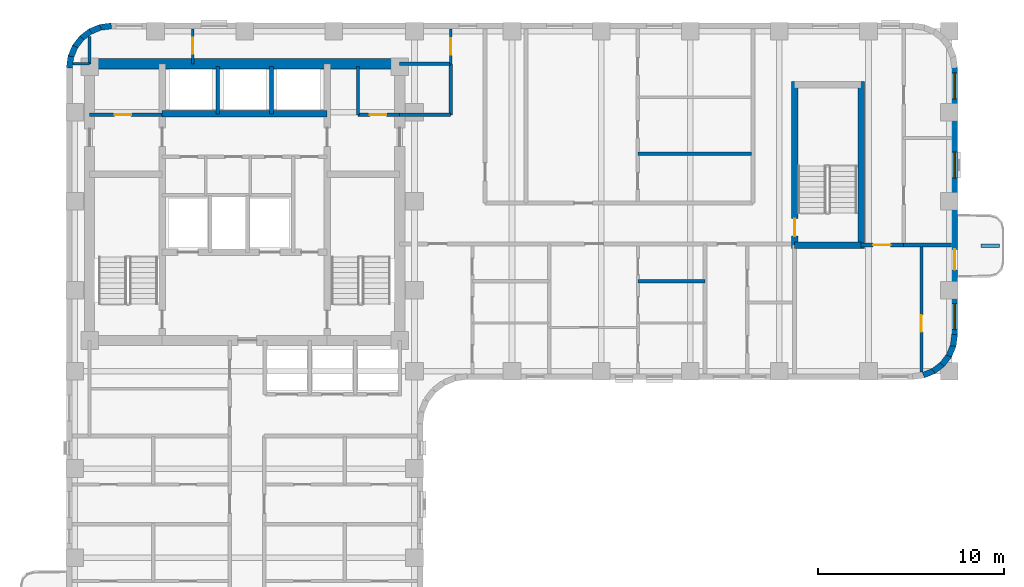
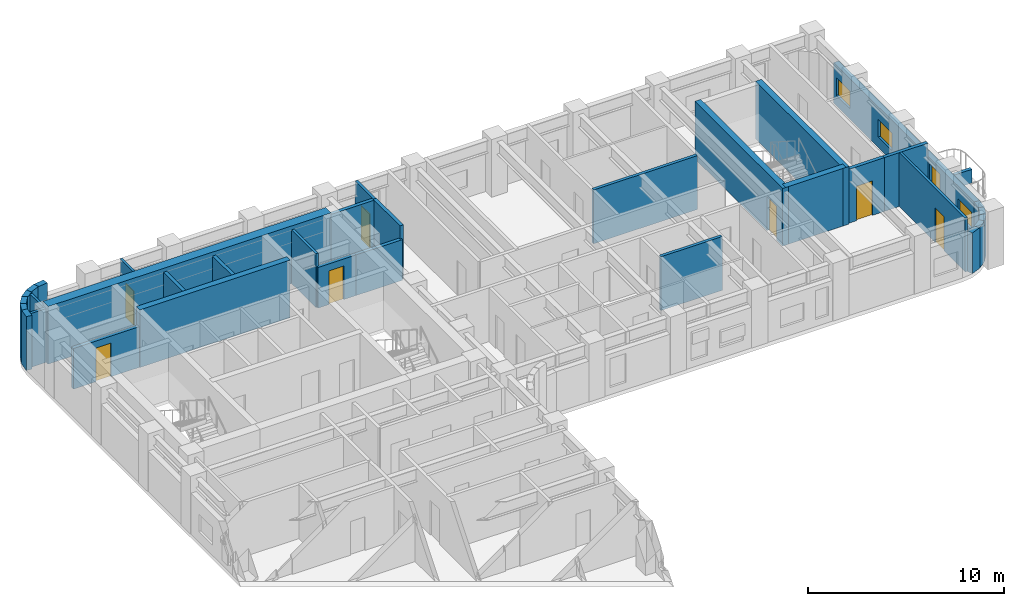
# One storey, part 6 of 10: 35 walls, 8 doors, 3 windows, 11 openings.
"""IFC4 building model written with IfcOpenShell, lengths in metres."""

from ifc_helpers import new_model, si_unit, direction, frame, frame_2d, origin, place, context, subcontext, project, spatial, rectangle, extrude, material, layer, layer_set, type_object, element, fill, save


model = new_model("IFC4")

# Units and contexts
model_context = context("Model", 3, precision=1e-05, world=origin(), true_north=direction((0.0, 1.0)))
body_context = subcontext(model_context, "Body", "Model", "MODEL_VIEW")
ifc_project = project(units=[si_unit("LENGTHUNIT", "METRE"), si_unit("AREAUNIT", "SQUARE_METRE"), si_unit("VOLUMEUNIT", "CUBIC_METRE"), si_unit("PLANEANGLEUNIT", "RADIAN"), si_unit("MASSUNIT", "GRAM", prefix="KILO")], contexts=[model_context])

# Site, building, storey
site_placement = place(None, origin())
site = spatial("IfcSite", under=ifc_project, at=site_placement, CompositionType="ELEMENT")
building_placement = place(site_placement, origin())
building = spatial("IfcBuilding", under=site, at=building_placement, Name="Orvandelia Arch Residences", CompositionType="ELEMENT")
storey_placement = place(building_placement, frame((0.0, 0.0, 118.0)))
storey = spatial("IfcBuildingStorey", under=building, at=storey_placement, Name="L30", CompositionType="ELEMENT", Elevation=118.0)

# Wall
ifc_material_1 = material(Name="Concrete C50/60", Category="concrete")
ifc_layer_1 = layer(ifc_material_1, 0.35009765625, Name="Concrete C50/60", Category="concrete")
ifc_layer_set_1 = layer_set([ifc_layer_1], Name="Concrete C50/60")
wall_type_1 = type_object("IfcWallType", Name="WL-CORE-350", PredefinedType="SHEAR", material=ifc_layer_set_1)
wall_1_placement = place(storey_placement, frame((9.9599609375, 43.10009765625, 0.0), z_axis=(0.0, 0.0, 1.0), x_axis=(1.0, 0.0, 0.0)))
element("IfcWall", 1, at=wall_1_placement, inside=storey, type_object=wall_type_1, Name="Core Shear Wall L30-HZ4", PredefinedType="SHEAR", context=body_context, shape_type="SweptSolid", body=[
    extrude(rectangle(XDim=8.880126953125, YDim=0.35009765625, at=frame_2d((4.43994140625, 0.0))), origin(), (0.0, 0.0, 1.0), 3.60009765625),
])

# Wall, opening, door
wall_2_placement = place(storey_placement, frame((44.02001953125, 35.864990234375, 0.0), z_axis=(0.0, 0.0, 1.0), x_axis=(0.0, 1.0, 0.0)))
wall_2 = element("IfcWall", 2, at=wall_2_placement, inside=storey, type_object=wall_type_1, Name="East Stair Core Shear Wall L30-W", PredefinedType="SHEAR", context=body_context, shape_type="SweptSolid", body=[
    extrude(rectangle(XDim=8.969970703125, YDim=0.35009765625, at=frame_2d((4.48486328125, 0.0))), origin(), (0.0, 0.0, 1.0), 3.60009765625),
])
opening_1_placement = place(wall_2_placement, frame((0.64990234375, 0.0, 0.0)))
opening_1 = element("IfcOpeningElement", 3, at=opening_1_placement, cuts=wall_2, Name="Opening D7", PredefinedType="OPENING", context=body_context, shape_type="SweptSolid", body=[
    extrude(rectangle(XDim=0.949951171875, YDim=2.10009765625, at=frame_2d((0.47509765625, 1.050048828125))), frame((0.0, 0.18505859375, 0.0), z_axis=(0.0, -1.0, 0.0), x_axis=(1.0, 0.0, 0.0)), (0.0, 0.0, 1.0), 0.3701171875),
])
ifc_material_2 = material(Name="Pressurised Stairwell Fire Door")
door_type_1 = type_object("IfcDoorType", Name="DR-STAIR-950", OperationType="NOTDEFINED", PredefinedType="DOOR", material=ifc_material_2)
door_1_placement = place(opening_1_placement, origin())
door_1 = element("IfcDoor", 4, at=door_1_placement, inside=storey, type_object=door_type_1, Name="East Stairwell ST-3 Fire Door L30", OperationType="SINGLE_SWING_LEFT", OverallHeight=2.10009765625, OverallWidth=0.949951171875, PredefinedType="DOOR", context=body_context, shape_type="SweptSolid", body=[
    extrude(rectangle(XDim=0.949951171875, YDim=2.10009765625, at=frame_2d((0.47509765625, 1.050048828125))), frame((0.0, 0.02490234375, 0.0), z_axis=(0.0, -1.0, 0.0), x_axis=(1.0, 0.0, 0.0)), (0.0, 0.0, 1.0), 0.050048828125),
])
fill(opening_1, door_1)

# Walls
wall_3_placement = place(storey_placement, frame((47.60009765625, 35.864990234375, 0.0), z_axis=(0.0, 0.0, 1.0), x_axis=(0.0, 1.0, 0.0)))
element("IfcWall", 5, at=wall_3_placement, inside=storey, type_object=wall_type_1, Name="East Stair Core Shear Wall L30-E", PredefinedType="SHEAR", context=body_context, shape_type="SweptSolid", body=[
    extrude(rectangle(XDim=8.969970703125, YDim=0.35009765625, at=frame_2d((4.48486328125, 0.0))), origin(), (0.0, 0.0, 1.0), 3.60009765625),
])
wall_4_placement = place(storey_placement, frame((44.02001953125, 36.0400390625, 0.0), z_axis=(0.0, 0.0, 1.0), x_axis=(1.0, 0.0, 0.0)))
element("IfcWall", 6, at=wall_4_placement, inside=storey, type_object=wall_type_1, Name="East Stair Core Shear Wall L30-S", PredefinedType="SHEAR", context=body_context, shape_type="SweptSolid", body=[
    extrude(rectangle(XDim=3.580078125, YDim=0.35009765625, at=frame_2d((1.7900390625, 0.0))), origin(), (0.0, 0.0, 1.0), 3.60009765625),
])
ifc_material_3 = material(Name="Concrete C60/75", Category="concrete")
ifc_layer_2 = layer(ifc_material_3, 0.550048828125, Name="Concrete C60/75", Category="concrete")
ifc_layer_set_2 = layer_set([ifc_layer_2], Name="Concrete C60/75")
wall_type_2 = type_object("IfcWallType", Name="WL-CORE-550", PredefinedType="SHEAR", material=ifc_layer_set_2)
wall_5_placement = place(storey_placement, frame((6.050048828125, 45.800048828125, 0.0), z_axis=(0.0, 0.0, 1.0), x_axis=(1.0, 0.0, 0.0)))
element("IfcWall", 7, at=wall_5_placement, inside=storey, type_object=wall_type_2, Name="Core Shear Wall L30-N", PredefinedType="SHEAR", context=body_context, shape_type="SweptSolid", body=[
    extrude(rectangle(XDim=16.699951171875, YDim=0.550048828125, at=frame_2d((8.35009765625, 0.0))), origin(), (0.0, 0.0, 1.0), 3.60009765625),
])
ifc_material_4 = material(Name="Fire-Rated Corridor Partition")
ifc_layer_3 = layer(ifc_material_4, 0.199951171875, Name="Fire-Rated Corridor Partition")
ifc_layer_set_3 = layer_set([ifc_layer_3], Name="Fire-Rated Corridor Partition")
wall_type_3 = type_object("IfcWallType", Name="WL-CORR-200", PredefinedType="PARTITIONING", material=ifc_layer_set_3)
wall_6_placement = place(storey_placement, frame((22.75, 45.800048828125, 0.0), z_axis=(0.0, 0.0, 1.0), x_axis=(1.0, 0.0, 0.0)))
element("IfcWall", 8, at=wall_6_placement, inside=storey, type_object=wall_type_3, Name="Interior Partition Wall WL-L30-NCE-S", PredefinedType="PARTITIONING", context=body_context, shape_type="SweptSolid", body=[
    extrude(rectangle(XDim=2.75, YDim=0.199951171875, at=frame_2d((1.375, 0.0))), origin(), (0.0, 0.0, 1.0), 3.360107421875),
])
wall_7_placement = place(storey_placement, frame((22.75, 43.050048828125, 0.0), z_axis=(0.0, 0.0, 1.0), x_axis=(1.0, 0.0, 0.0)))
element("IfcWall", 9, at=wall_7_placement, inside=storey, type_object=wall_type_3, Name="Interior Partition Wall WL-L30-EM-LS", PredefinedType="PARTITIONING", context=body_context, shape_type="SweptSolid", body=[
    extrude(rectangle(XDim=2.75, YDim=0.199951171875, at=frame_2d((1.375, 0.0))), origin(), (0.0, 0.0, 1.0), 2.5400390625),
])
wall_8_placement = place(storey_placement, frame((25.5, 43.050048828125, 0.0), z_axis=(0.0, 0.0, 1.0), x_axis=(0.0, 1.0, 0.0)))
element("IfcWall", 10, at=wall_8_placement, inside=storey, type_object=wall_type_3, Name="Interior Partition Wall WL-L30-EM-LW2", PredefinedType="PARTITIONING", context=body_context, shape_type="SweptSolid", body=[
    extrude(rectangle(XDim=2.75, YDim=0.199951171875, at=frame_2d((1.375, 0.0))), origin(), (0.0, 0.0, 1.0), 3.360107421875),
])

# Wall, opening, door
wall_9_placement = place(storey_placement, frame((47.60009765625, 36.0400390625, 0.0), z_axis=(0.0, 0.0, 1.0), x_axis=(1.0, 0.0, 0.0)))
wall_9 = element("IfcWall", 11, at=wall_9_placement, inside=storey, type_object=wall_type_3, Name="Interior Partition Wall WL-L30-ETE-S", PredefinedType="PARTITIONING", context=body_context, shape_type="SweptSolid", body=[
    extrude(rectangle(XDim=2.2998046875, YDim=0.199951171875, at=frame_2d((1.14990234375, 0.0))), origin(), (0.0, 0.0, 1.0), 3.360107421875),
])
opening_2_placement = place(wall_9_placement, frame((0.64990234375, 0.0, 0.0)))
opening_2 = element("IfcOpeningElement", 12, at=opening_2_placement, cuts=wall_9, Name="Opening D2", PredefinedType="OPENING", context=body_context, shape_type="SweptSolid", body=[
    extrude(rectangle(XDim=0.949951171875, YDim=2.14990234375, at=frame_2d((0.47509765625, 1.074951171875))), frame((0.0, 0.10986328125, 0.0), z_axis=(0.0, -1.0, 0.0), x_axis=(1.0, 0.0, 0.0)), (0.0, 0.0, 1.0), 0.219970703125),
])
ifc_material_5 = material(Name="Solid-Core Timber Interior Fire Door", Category="wood")
door_type_2 = type_object("IfcDoorType", Name="DR-APT-950", OperationType="NOTDEFINED", PredefinedType="DOOR", material=ifc_material_5)
door_2_placement = place(opening_2_placement, origin())
door_2 = element("IfcDoor", 13, at=door_2_placement, inside=storey, type_object=door_type_2, Name="DR-L30-EMS3", OperationType="SINGLE_SWING_LEFT", OverallHeight=2.14990234375, OverallWidth=0.949951171875, PredefinedType="DOOR", context=body_context, shape_type="SweptSolid", body=[
    extrude(rectangle(XDim=0.949951171875, YDim=2.14990234375, at=frame_2d((0.47509765625, 1.074951171875))), frame((0.0, 0.02490234375, 0.0), z_axis=(0.0, -1.0, 0.0), x_axis=(1.0, 0.0, 0.0)), (0.0, 0.0, 1.0), 0.050048828125),
])
fill(opening_2, door_2)

# Walls
ifc_material_6 = material(Name="Concrete C40/50", Category="concrete")
ifc_layer_4 = layer(ifc_material_6, 0.199951171875, Name="Concrete C40/50", Category="concrete")
ifc_layer_set_4 = layer_set([ifc_layer_4], Name="Concrete C40/50")
wall_type_4 = type_object("IfcWallType", Name="WL-DEM-200", PredefinedType="SOLIDWALL", material=ifc_layer_set_4)
wall_10_placement = place(storey_placement, frame((49.89990234375, 36.0400390625, 0.0), z_axis=(0.0, 0.0, 1.0), x_axis=(1.0, 0.0, 0.0)))
element("IfcWall", 14, at=wall_10_placement, inside=storey, type_object=wall_type_4, Name="Interior Partition Wall WL-L30-EMS3-N2", PredefinedType="SOLIDWALL", context=body_context, shape_type="SweptSolid", body=[
    extrude(rectangle(XDim=2.580078125, YDim=0.199951171875, at=frame_2d((1.2900390625, 0.0))), origin(), (0.0, 0.0, 1.0), 3.360107421875),
])
ifc_material_7 = material(Name="Precast concrete C40/50", Category="concrete")
ifc_layer_5 = layer(ifc_material_7, 0.320068359375, Name="Precast concrete C40/50", Category="concrete")
ifc_layer_set_5 = layer_set([ifc_layer_5], Name="Precast concrete C40/50")
wall_type_5 = type_object("IfcWallType", Name="WL-EXT-STONE-320", PredefinedType="STANDARD", material=ifc_layer_set_5)
for number, where, z_axis, x_axis, name in (
    (15, (4.95849609375, 45.5791015625, 0.0), (0.0, 0.0, 1.0), (0.130555323746, 0.9914410257, 0.0), "Coral-Limestone Precast Facade Wall L30-001"),
    (16, (5.029541015625, 46.159912109375, 0.0), (0.0, 0.0, 1.0), (0.382650053678, 0.92389335771, 0.0), "Coral-Limestone Precast Facade Wall L30-002"),
):
    element("IfcWall", number, at=place(storey_placement, frame(where, z_axis=z_axis, x_axis=x_axis)), inside=storey, type_object=wall_type_5, Name=name, PredefinedType="STANDARD", context=body_context, shape_type="SweptSolid", body=[
        extrude(rectangle(XDim=0.62646484375, YDim=0.320068359375, at=frame_2d((0.313232421875, 0.0))), origin(), (0.0, 0.0, 1.0), 3.360107421875),
    ])
wall_11_placement = place(storey_placement, frame((5.248291015625, 46.70263671875, 0.0), z_axis=(0.0, 0.0, 1.0), x_axis=(0.608938521285, 0.7932174212, 0.0)))
element("IfcWall", 17, at=wall_11_placement, inside=storey, type_object=wall_type_5, Name="Coral-Limestone Precast Facade Wall L30-003", PredefinedType="STANDARD", context=body_context, shape_type="SweptSolid", body=[
    extrude(rectangle(XDim=0.626708984375, YDim=0.320068359375, at=frame_2d((0.3134765625, 0.0))), origin(), (0.0, 0.0, 1.0), 3.360107421875),
])
wall_12_placement = place(storey_placement, frame((5.600341796875, 47.170166015625, 0.0), z_axis=(0.0, 0.0, 1.0), x_axis=(0.793405610854, 0.608693302629, 0.0)))
element("IfcWall", 18, at=wall_12_placement, inside=storey, type_object=wall_type_5, Name="Coral-Limestone Precast Facade Wall L30-004", PredefinedType="STANDARD", context=body_context, shape_type="SweptSolid", body=[
    extrude(rectangle(XDim=0.62646484375, YDim=0.320068359375, at=frame_2d((0.313232421875, 0.0))), origin(), (0.0, 0.0, 1.0), 3.360107421875),
])
wall_13_placement = place(storey_placement, frame((6.061279296875, 47.53076171875, 0.0), z_axis=(0.0, 0.0, 1.0), x_axis=(0.923836271867, 0.382787856107, 0.0)))
element("IfcWall", 19, at=wall_13_placement, inside=storey, type_object=wall_type_5, Name="Coral-Limestone Precast Facade Wall L30-005", PredefinedType="STANDARD", context=body_context, shape_type="SweptSolid", body=[
    extrude(rectangle(XDim=0.626220703125, YDim=0.320068359375, at=frame_2d((0.31298828125, 0.0))), origin(), (0.0, 0.0, 1.0), 3.360107421875),
])
wall_14_placement = place(storey_placement, frame((6.599609375, 47.759521484375, 0.0), z_axis=(0.0, 0.0, 1.0), x_axis=(0.991447664465, 0.130504898859, 0.0)))
element("IfcWall", 20, at=wall_14_placement, inside=storey, type_object=wall_type_5, Name="Coral-Limestone Precast Facade Wall L30-006", PredefinedType="STANDARD", context=body_context, shape_type="SweptSolid", body=[
    extrude(rectangle(XDim=0.626708984375, YDim=0.320068359375, at=frame_2d((0.3134765625, 0.0))), origin(), (0.0, 0.0, 1.0), 3.360107421875),
])

# Wall, openings, door, windows
wall_15_placement = place(storey_placement, frame((52.639892578125, 45.60009765625, 0.0), z_axis=(0.0, 0.0, 1.0), x_axis=(0.0, -1.0, 0.0)))
wall_15 = element("IfcWall", 21, at=wall_15_placement, inside=storey, type_object=wall_type_5, Name="Coral-Limestone Precast Facade Wall L30-014", PredefinedType="STANDARD", context=body_context, shape_type="SweptSolid", body=[
    extrude(rectangle(XDim=14.400146484375, YDim=0.320068359375, at=frame_2d((7.2001953125, 0.0))), origin(), (0.0, 0.0, 1.0), 2.5400390625),
])
opening_3_placement = place(wall_15_placement, frame((9.800048828125, 0.0, 0.0)))
opening_3 = element("IfcOpeningElement", 22, at=opening_3_placement, cuts=wall_15, Name="Opening BD1", PredefinedType="OPENING", context=body_context, shape_type="SweptSolid", body=[
    extrude(rectangle(XDim=1.10009765625, YDim=2.14990234375, at=frame_2d((0.550048828125, 1.074951171875))), frame((0.0, 0.169921875, 0.0), z_axis=(0.0, -1.0, 0.0), x_axis=(1.0, 0.0, 0.0)), (0.0, 0.0, 1.0), 0.340087890625),
])
opening_4_placement = place(wall_15_placement, frame((12.717529296875, 0.0, 0.64990234375)))
opening_4 = element("IfcOpeningElement", 23, at=opening_4_placement, cuts=wall_15, Name="Opening W10", PredefinedType="OPENING", context=body_context, shape_type="SweptSolid", body=[
    extrude(rectangle(XDim=1.39990234375, YDim=1.10009765625, at=frame_2d((0.699951171875, 0.550048828125))), frame((0.0, 0.169921875, 0.0), z_axis=(0.0, -1.0, 0.0), x_axis=(1.0, 0.0, 0.0)), (0.0, 0.0, 1.0), 0.340087890625),
])
opening_5_placement = place(wall_15_placement, frame((4.552490234375, 0.0, 0.64990234375)))
opening_5 = element("IfcOpeningElement", 24, at=opening_5_placement, cuts=wall_15, Name="Opening W10", PredefinedType="OPENING", context=body_context, shape_type="SweptSolid", body=[
    extrude(rectangle(XDim=1.39990234375, YDim=1.10009765625, at=frame_2d((0.699951171875, 0.550048828125))), frame((0.0, 0.169921875, 0.0), z_axis=(0.0, -1.0, 0.0), x_axis=(1.0, 0.0, 0.0)), (0.0, 0.0, 1.0), 0.340087890625),
])
opening_6_placement = place(wall_15_placement, frame((0.282470703125, 0.0, 0.64990234375)))
opening_6 = element("IfcOpeningElement", 25, at=opening_6_placement, cuts=wall_15, Name="Opening W10", PredefinedType="OPENING", context=body_context, shape_type="SweptSolid", body=[
    extrude(rectangle(XDim=1.39990234375, YDim=1.10009765625, at=frame_2d((0.699951171875, 0.550048828125))), frame((0.0, 0.169921875, 0.0), z_axis=(0.0, -1.0, 0.0), x_axis=(1.0, 0.0, 0.0)), (0.0, 0.0, 1.0), 0.340087890625),
])
ifc_material_8 = material(Name="Thermally Broken Aluminium Glazed Door", Category="aluminium")
door_type_3 = type_object("IfcDoorType", Name="DR-BAL-GLAZ-1100", OperationType="NOTDEFINED", PredefinedType="DOOR", material=ifc_material_8)
door_3_placement = place(opening_3_placement, origin())
door_3 = element("IfcDoor", 26, at=door_3_placement, inside=storey, type_object=door_type_3, Name="Tree Balcony Glazed Door BAL-L30-E1", OperationType="SINGLE_SWING_LEFT", OverallHeight=2.14990234375, OverallWidth=1.10009765625, PredefinedType="DOOR", context=body_context, shape_type="SweptSolid", body=[
    extrude(rectangle(XDim=1.10009765625, YDim=2.14990234375, at=frame_2d((0.550048828125, 1.074951171875))), frame((0.0, 0.02490234375, 0.0), z_axis=(0.0, -1.0, 0.0), x_axis=(1.0, 0.0, 0.0)), (0.0, 0.0, 1.0), 0.050048828125),
])
fill(opening_3, door_3)
ifc_material_9 = material(Name="Tempered Low-E Insulated Glazing", Category="glass")
window_type = type_object("IfcWindowType", Name="WIN-CLR-1400x1100", PartitioningType="SINGLE_PANEL", PredefinedType="WINDOW", material=ifc_material_9)
window_1_placement = place(opening_4_placement, origin())
window_1 = element("IfcWindow", 27, at=window_1_placement, inside=storey, type_object=window_type, Name="Recessed Punched Window L30-008", OverallHeight=1.10009765625, OverallWidth=1.39990234375, PartitioningType="SINGLE_PANEL", PredefinedType="WINDOW", context=body_context, shape_type="SweptSolid", body=[
    extrude(rectangle(XDim=1.39990234375, YDim=1.10009765625, at=frame_2d((0.699951171875, 0.550048828125))), frame((0.0, 0.030029296875, 0.0), z_axis=(0.0, -1.0, 0.0), x_axis=(1.0, 0.0, 0.0)), (0.0, 0.0, 1.0), 0.06005859375),
])
fill(opening_4, window_1)
window_2_placement = place(opening_5_placement, origin())
window_2 = element("IfcWindow", 28, at=window_2_placement, inside=storey, type_object=window_type, Name="Recessed Punched Window L30-009", OverallHeight=1.10009765625, OverallWidth=1.39990234375, PartitioningType="SINGLE_PANEL", PredefinedType="WINDOW", context=body_context, shape_type="SweptSolid", body=[
    extrude(rectangle(XDim=1.39990234375, YDim=1.10009765625, at=frame_2d((0.699951171875, 0.550048828125))), frame((0.0, 0.030029296875, 0.0), z_axis=(0.0, -1.0, 0.0), x_axis=(1.0, 0.0, 0.0)), (0.0, 0.0, 1.0), 0.06005859375),
])
fill(opening_5, window_2)
window_3_placement = place(opening_6_placement, origin())
window_3 = element("IfcWindow", 29, at=window_3_placement, inside=storey, type_object=window_type, Name="Recessed Punched Window L30-010", OverallHeight=1.10009765625, OverallWidth=1.39990234375, PartitioningType="SINGLE_PANEL", PredefinedType="WINDOW", context=body_context, shape_type="SweptSolid", body=[
    extrude(rectangle(XDim=1.39990234375, YDim=1.10009765625, at=frame_2d((0.699951171875, 0.550048828125))), frame((0.0, 0.030029296875, 0.0), z_axis=(0.0, -1.0, 0.0), x_axis=(1.0, 0.0, 0.0)), (0.0, 0.0, 1.0), 0.06005859375),
])
fill(opening_6, window_3)

# Walls
wall_16_placement = place(storey_placement, frame((52.641357421875, 31.220947265625, 0.0), z_axis=(0.0, 0.0, 1.0), x_axis=(-0.130504898859, -0.991447664465, 0.0)))
element("IfcWall", 30, at=wall_16_placement, inside=storey, type_object=wall_type_5, Name="Coral-Limestone Precast Facade Wall L30-015", PredefinedType="STANDARD", context=body_context, shape_type="SweptSolid", body=[
    extrude(rectangle(XDim=0.626708984375, YDim=0.320068359375, at=frame_2d((0.3134765625, 0.0))), origin(), (0.0, 0.0, 1.0), 2.5400390625),
])
wall_17_placement = place(storey_placement, frame((52.5703125, 30.639892578125, 0.0), z_axis=(0.0, 0.0, 1.0), x_axis=(-0.382455093999, -0.923974080304, 0.0)))
element("IfcWall", 31, at=wall_17_placement, inside=storey, type_object=wall_type_5, Name="Coral-Limestone Precast Facade Wall L30-016", PredefinedType="STANDARD", context=body_context, shape_type="SweptSolid", body=[
    extrude(rectangle(XDim=0.626220703125, YDim=0.320068359375, at=frame_2d((0.31298828125, 0.0))), origin(), (0.0, 0.0, 1.0), 2.5400390625),
])
wall_18_placement = place(storey_placement, frame((52.3515625, 30.097412109375, 0.0), z_axis=(0.0, 0.0, 1.0), x_axis=(-0.608693302629, -0.793405610854, 0.0)))
element("IfcWall", 32, at=wall_18_placement, inside=storey, type_object=wall_type_5, Name="Coral-Limestone Precast Facade Wall L30-017", PredefinedType="STANDARD", context=body_context, shape_type="SweptSolid", body=[
    extrude(rectangle(XDim=0.62646484375, YDim=0.320068359375, at=frame_2d((0.313232421875, 0.0))), origin(), (0.0, 0.0, 1.0), 2.5400390625),
])
wall_19_placement = place(storey_placement, frame((51.999755859375, 29.6298828125, 0.0), z_axis=(0.0, 0.0, 1.0), x_axis=(-0.7932174212, -0.608938521285, 0.0)))
element("IfcWall", 33, at=wall_19_placement, inside=storey, type_object=wall_type_5, Name="Coral-Limestone Precast Facade Wall L30-018", PredefinedType="STANDARD", context=body_context, shape_type="SweptSolid", body=[
    extrude(rectangle(XDim=0.626708984375, YDim=0.320068359375, at=frame_2d((0.3134765625, 0.0))), origin(), (0.0, 0.0, 1.0), 2.5400390625),
])
wall_20_placement = place(storey_placement, frame((51.538818359375, 29.269287109375, 0.0), z_axis=(0.0, 0.0, 1.0), x_axis=(-0.92389335771, -0.382650053678, 0.0)))
element("IfcWall", 34, at=wall_20_placement, inside=storey, type_object=wall_type_5, Name="Coral-Limestone Precast Facade Wall L30-019", PredefinedType="STANDARD", context=body_context, shape_type="SweptSolid", body=[
    extrude(rectangle(XDim=0.62646484375, YDim=0.320068359375, at=frame_2d((0.313232421875, 0.0))), origin(), (0.0, 0.0, 1.0), 2.5400390625),
])
ifc_material_10 = material(Name="Acoustic Gypsum Stud Partition")
ifc_layer_6 = layer(ifc_material_10, 0.14990234375, Name="Acoustic Gypsum Stud Partition")
ifc_layer_set_6 = layer_set([ifc_layer_6], Name="Acoustic Gypsum Stud Partition")
wall_type_6 = type_object("IfcWallType", Name="WL-PART-150", PredefinedType="PARTITIONING", material=ifc_layer_set_6)
wall_21_placement = place(storey_placement, frame((20.5, 43.050048828125, 0.0), z_axis=(0.0, 0.0, 1.0), x_axis=(0.0, 1.0, 0.0)))
element("IfcWall", 35, at=wall_21_placement, inside=storey, type_object=wall_type_6, Name="Interior Partition Wall WL-L30-CSB-2W", PredefinedType="PARTITIONING", context=body_context, shape_type="SweptSolid", body=[
    extrude(rectangle(XDim=2.599853515625, YDim=0.14990234375, at=frame_2d((1.2998046875, 0.0))), origin(), (0.0, 0.0, 1.0), 3.360107421875),
])
wall_22_placement = place(storey_placement, frame((5.159912109375, 45.800048828125, 0.0), z_axis=(0.0, 0.0, 1.0), x_axis=(1.0, 0.0, 0.0)))
element("IfcWall", 36, at=wall_22_placement, inside=storey, type_object=wall_type_6, Name="Interior Partition Wall WL-L30-WF-N", PredefinedType="PARTITIONING", context=body_context, shape_type="SweptSolid", body=[
    extrude(rectangle(XDim=0.89013671875, YDim=0.14990234375, at=frame_2d((0.445068359375, 0.0))), origin(), (0.0, 0.0, 1.0), 3.360107421875),
])

# Wall, opening, door
wall_23_placement = place(storey_placement, frame((25.5, 45.800048828125, 0.0), z_axis=(0.0, 0.0, 1.0), x_axis=(0.0, 1.0, 0.0)))
wall_23 = element("IfcWall", 37, at=wall_23_placement, inside=storey, type_object=wall_type_6, Name="Interior Partition Wall WL-L30-NCE-W", PredefinedType="PARTITIONING", context=body_context, shape_type="SweptSolid", body=[
    extrude(rectangle(XDim=1.8798828125, YDim=0.14990234375, at=frame_2d((0.93994140625, 0.0))), origin(), (0.0, 0.0, 1.0), 3.360107421875),
])
opening_7_placement = place(wall_23_placement, frame((0.5, 0.0, 0.0)))
opening_7 = element("IfcOpeningElement", 38, at=opening_7_placement, cuts=wall_23, Name="Opening D5", PredefinedType="OPENING", context=body_context, shape_type="SweptSolid", body=[
    extrude(rectangle(XDim=0.8798828125, YDim=2.10009765625, at=frame_2d((0.43994140625, 1.050048828125))), frame((0.0, 0.0849609375, 0.0), z_axis=(0.0, -1.0, 0.0), x_axis=(1.0, 0.0, 0.0)), (0.0, 0.0, 1.0), 0.169921875),
])
ifc_material_11 = material(Name="Painted Galvanised Steel Service Door", Category="steel")
door_type_4 = type_object("IfcDoorType", Name="DR-SRV-880", OperationType="NOTDEFINED", PredefinedType="DOOR", material=ifc_material_11)
door_4_placement = place(opening_7_placement, origin())
door_4 = element("IfcDoor", 39, at=door_4_placement, inside=storey, type_object=door_type_4, Name="DR-L30-NCS2", OperationType="SINGLE_SWING_LEFT", OverallHeight=2.10009765625, OverallWidth=0.8798828125, PredefinedType="DOOR", context=body_context, shape_type="SweptSolid", body=[
    extrude(rectangle(XDim=0.8798828125, YDim=2.10009765625, at=frame_2d((0.43994140625, 1.050048828125))), frame((0.0, 0.02490234375, 0.0), z_axis=(0.0, -1.0, 0.0), x_axis=(1.0, 0.0, 0.0)), (0.0, 0.0, 1.0), 0.050048828125),
])
fill(opening_7, door_4)

# Wall
wall_24_placement = place(storey_placement, frame((6.050048828125, 45.800048828125, 0.0), z_axis=(0.0, 0.0, 1.0), x_axis=(0.0, 1.0, 0.0)))
element("IfcWall", 40, at=wall_24_placement, inside=storey, type_object=wall_type_6, Name="Interior Partition Wall WL-L30-NC-W6", PredefinedType="PARTITIONING", context=body_context, shape_type="SweptSolid", body=[
    extrude(rectangle(XDim=1.4599609375, YDim=0.14990234375, at=frame_2d((0.72998046875, 0.0))), origin(), (0.0, 0.0, 1.0), 3.360107421875),
])

# Wall, opening, door
wall_25_placement = place(storey_placement, frame((11.60009765625, 45.800048828125, 0.0), z_axis=(0.0, 0.0, 1.0), x_axis=(0.0, 1.0, 0.0)))
wall_25 = element("IfcWall", 41, at=wall_25_placement, inside=storey, type_object=wall_type_6, Name="Interior Partition Wall WL-L30-NC-M", PredefinedType="PARTITIONING", context=body_context, shape_type="SweptSolid", body=[
    extrude(rectangle(XDim=1.8798828125, YDim=0.14990234375, at=frame_2d((0.93994140625, 0.0))), origin(), (0.0, 0.0, 1.0), 3.360107421875),
])
opening_8_placement = place(wall_25_placement, frame((0.550048828125, 0.0, 0.0)))
opening_8 = element("IfcOpeningElement", 42, at=opening_8_placement, cuts=wall_25, Name="Opening D4", PredefinedType="OPENING", context=body_context, shape_type="SweptSolid", body=[
    extrude(rectangle(XDim=0.860107421875, YDim=2.10009765625, at=frame_2d((0.43017578125, 1.050048828125))), frame((0.0, 0.0849609375, 0.0), z_axis=(0.0, -1.0, 0.0), x_axis=(1.0, 0.0, 0.0)), (0.0, 0.0, 1.0), 0.169921875),
])
ifc_material_12 = material(Name="Moisture-Sealed Timber Bathroom Door", Category="wood")
door_type_5 = type_object("IfcDoorType", Name="DR-WET-900", OperationType="NOTDEFINED", PredefinedType="DOOR", material=ifc_material_12)
door_5_placement = place(opening_8_placement, origin())
door_5 = element("IfcDoor", 43, at=door_5_placement, inside=storey, type_object=door_type_5, Name="DR-L30-NCS1", OperationType="SINGLE_SWING_LEFT", OverallHeight=2.10009765625, OverallWidth=0.860107421875, PredefinedType="DOOR", context=body_context, shape_type="SweptSolid", body=[
    extrude(rectangle(XDim=0.860107421875, YDim=2.10009765625, at=frame_2d((0.43017578125, 1.050048828125))), frame((0.0, 0.02490234375, 0.0), z_axis=(0.0, -1.0, 0.0), x_axis=(1.0, 0.0, 0.0)), (0.0, 0.0, 1.0), 0.050048828125),
])
fill(opening_8, door_5)

wall_26_placement = place(storey_placement, frame((50.85009765625, 29.199951171875, 0.0), z_axis=(0.0, 0.0, 1.0), x_axis=(0.0, 1.0, 0.0)))
wall_26 = element("IfcWall", 44, at=wall_26_placement, inside=storey, type_object=wall_type_6, Name="Interior Partition Wall WL-L30-EMS3-M", PredefinedType="PARTITIONING", context=body_context, shape_type="SweptSolid", body=[
    extrude(rectangle(XDim=6.840087890625, YDim=0.14990234375, at=frame_2d((3.419921875, 0.0))), origin(), (0.0, 0.0, 1.0), 3.360107421875),
])
opening_9_placement = place(wall_26_placement, frame((2.159912109375, 0.0, 0.0)))
opening_9 = element("IfcOpeningElement", 45, at=opening_9_placement, cuts=wall_26, Name="Opening D3", PredefinedType="OPENING", context=body_context, shape_type="SweptSolid", body=[
    extrude(rectangle(XDim=0.89990234375, YDim=2.14990234375, at=frame_2d((0.449951171875, 1.074951171875))), frame((0.0, 0.0849609375, 0.0), z_axis=(0.0, -1.0, 0.0), x_axis=(1.0, 0.0, 0.0)), (0.0, 0.0, 1.0), 0.169921875),
])
ifc_material_13 = material(Name="Engineered Timber Flush Door", Category="wood")
door_type_6 = type_object("IfcDoorType", Name="DR-INT-900", OperationType="NOTDEFINED", PredefinedType="DOOR", material=ifc_material_13)
door_6_placement = place(opening_9_placement, origin())
door_6 = element("IfcDoor", 46, at=door_6_placement, inside=storey, type_object=door_type_6, Name="DR-L30-EMS3M", OperationType="SINGLE_SWING_RIGHT", OverallHeight=2.14990234375, OverallWidth=0.89990234375, PredefinedType="DOOR", context=body_context, shape_type="SweptSolid", body=[
    extrude(rectangle(XDim=0.89990234375, YDim=2.14990234375, at=frame_2d((0.449951171875, 1.074951171875))), frame((0.0, 0.02490234375, 0.0), z_axis=(0.0, -1.0, 0.0), x_axis=(1.0, 0.0, 0.0)), (0.0, 0.0, 1.0), 0.050048828125),
])
fill(opening_9, door_6)

# Wall
ifc_layer_7 = layer(ifc_material_7, 0.199951171875, Name="Precast concrete C40/50", Category="concrete")
ifc_layer_set_7 = layer_set([ifc_layer_7], Name="Precast concrete C40/50")
wall_type_7 = type_object("IfcWallType", Name="WL-PLANTER-200", PredefinedType="MOVABLE", material=ifc_layer_set_7)
wall_27_placement = place(storey_placement, frame((54.050048828125, 36.0, 0.0), z_axis=(0.0, 0.0, 1.0), x_axis=(1.0, 0.0, 0.0)))
element("IfcWall", 47, at=wall_27_placement, inside=storey, type_object=wall_type_7, Name="Balcony Precast Tree Planter BAL-L30-E1", PredefinedType="MOVABLE", context=body_context, shape_type="SweptSolid", body=[
    extrude(rectangle(XDim=1.0, YDim=0.199951171875, at=frame_2d((0.5, 0.0))), origin(), (0.0, 0.0, 1.0), 0.85009765625),
])

# Wall, opening, door
ifc_material_14 = material(Name="Fire-Rated Shaft Enclosure Wall")
ifc_layer_8 = layer(ifc_material_14, 0.199951171875, Name="Fire-Rated Shaft Enclosure Wall")
ifc_layer_set_8 = layer_set([ifc_layer_8], Name="Fire-Rated Shaft Enclosure Wall")
wall_type_8 = type_object("IfcWallType", Name="WL-SHAFT-200", PredefinedType="POLYGONAL", material=ifc_layer_set_8)
wall_28_placement = place(storey_placement, frame((20.5, 43.050048828125, 0.0), z_axis=(0.0, 0.0, 1.0), x_axis=(1.0, 0.0, 0.0)))
wall_28 = element("IfcWall", 48, at=wall_28_placement, inside=storey, type_object=wall_type_8, Name="Interior Partition Wall WL-L30-HLE-N", PredefinedType="POLYGONAL", context=body_context, shape_type="SweptSolid", body=[
    extrude(rectangle(XDim=2.25, YDim=0.199951171875, at=frame_2d((1.125, 0.0))), origin(), (0.0, 0.0, 1.0), 2.5400390625),
])
opening_10_placement = place(wall_28_placement, frame((0.64990234375, 0.0, 0.0)))
opening_10 = element("IfcOpeningElement", 49, at=opening_10_placement, cuts=wall_28, Name="Opening D5", PredefinedType="OPENING", context=body_context, shape_type="SweptSolid", body=[
    extrude(rectangle(XDim=0.8798828125, YDim=2.10009765625, at=frame_2d((0.43994140625, 1.050048828125))), frame((0.0, 0.10986328125, 0.0), z_axis=(0.0, -1.0, 0.0), x_axis=(1.0, 0.0, 0.0)), (0.0, 0.0, 1.0), 0.219970703125),
])
door_7_placement = place(opening_10_placement, origin())
door_7 = element("IfcDoor", 50, at=door_7_placement, inside=storey, type_object=door_type_4, Name="DR-L30-CSB1", OperationType="SINGLE_SWING_RIGHT", OverallHeight=2.10009765625, OverallWidth=0.8798828125, PredefinedType="DOOR", context=body_context, shape_type="SweptSolid", body=[
    extrude(rectangle(XDim=0.8798828125, YDim=2.10009765625, at=frame_2d((0.43994140625, 1.050048828125))), frame((0.0, 0.02490234375, 0.0), z_axis=(0.0, -1.0, 0.0), x_axis=(1.0, 0.0, 0.0)), (0.0, 0.0, 1.0), 0.050048828125),
])
fill(opening_10, door_7)

wall_29_placement = place(storey_placement, frame((6.050048828125, 43.050048828125, 0.0), z_axis=(0.0, 0.0, 1.0), x_axis=(1.0, 0.0, 0.0)))
wall_29 = element("IfcWall", 51, at=wall_29_placement, inside=storey, type_object=wall_type_8, Name="Interior Partition Wall WL-L30-HLW-N", PredefinedType="POLYGONAL", context=body_context, shape_type="SweptSolid", body=[
    extrude(rectangle(XDim=3.909912109375, YDim=0.199951171875, at=frame_2d((1.955078125, 0.0))), origin(), (0.0, 0.0, 1.0), 2.5400390625),
])
opening_11_placement = place(wall_29_placement, frame((1.35009765625, 0.0, 0.0)))
opening_11 = element("IfcOpeningElement", 52, at=opening_11_placement, cuts=wall_29, Name="Opening D5", PredefinedType="OPENING", context=body_context, shape_type="SweptSolid", body=[
    extrude(rectangle(XDim=0.8798828125, YDim=2.10009765625, at=frame_2d((0.43994140625, 1.050048828125))), frame((0.0, 0.10986328125, 0.0), z_axis=(0.0, -1.0, 0.0), x_axis=(1.0, 0.0, 0.0)), (0.0, 0.0, 1.0), 0.219970703125),
])
door_8_placement = place(opening_11_placement, origin())
door_8 = element("IfcDoor", 53, at=door_8_placement, inside=storey, type_object=door_type_4, Name="Riser Service Door L30", OperationType="SINGLE_SWING_RIGHT", OverallHeight=2.10009765625, OverallWidth=0.8798828125, PredefinedType="DOOR", context=body_context, shape_type="SweptSolid", body=[
    extrude(rectangle(XDim=0.8798828125, YDim=2.10009765625, at=frame_2d((0.43994140625, 1.050048828125))), frame((0.0, 0.02490234375, 0.0), z_axis=(0.0, -1.0, 0.0), x_axis=(1.0, 0.0, 0.0)), (0.0, 0.0, 1.0), 0.050048828125),
])
fill(opening_11, door_8)

# Walls
for number, where, z_axis, x_axis, name in (
    (54, (12.949951171875, 43.10009765625, 0.0), (0.0, 0.0, 1.0), (0.0, 1.0, 0.0), "Interior Partition Wall WL-L30-PHD1"),
    (55, (15.85009765625, 43.10009765625, 0.0), (0.0, 0.0, 1.0), (0.0, 1.0, 0.0), "Interior Partition Wall WL-L30-PHD2"),
):
    element("IfcWall", number, at=place(storey_placement, frame(where, z_axis=z_axis, x_axis=x_axis)), inside=storey, type_object=wall_type_8, Name=name, PredefinedType="POLYGONAL", context=body_context, shape_type="SweptSolid", body=[
        extrude(rectangle(XDim=2.5498046875, YDim=0.199951171875, at=frame_2d((1.27490234375, 0.0))), origin(), (0.0, 0.0, 1.0), 3.360107421875),
    ])
ifc_material_15 = material(Name="Moisture-Resistant Plumbing Wall")
ifc_layer_9 = layer(ifc_material_15, 0.179931640625, Name="Moisture-Resistant Plumbing Wall")
ifc_layer_set_9 = layer_set([ifc_layer_9], Name="Moisture-Resistant Plumbing Wall")
wall_type_9 = type_object("IfcWallType", Name="WL-WET-180", PredefinedType="PLUMBINGWALL", material=ifc_layer_set_9)
wall_30_placement = place(storey_placement, frame((35.5849609375, 34.0849609375, 0.0), z_axis=(0.0, 0.0, 1.0), x_axis=(1.0, 0.0, 0.0)))
element("IfcWall", 56, at=wall_30_placement, inside=storey, type_object=wall_type_9, Name="Interior Partition Wall WL-L30-U08-H2", PredefinedType="PLUMBINGWALL", context=body_context, shape_type="SweptSolid", body=[
    extrude(rectangle(XDim=3.614990234375, YDim=0.179931640625, at=frame_2d((1.8076171875, 0.0))), origin(), (0.0, 0.0, 1.0), 3.360107421875),
])
wall_31_placement = place(storey_placement, frame((35.576904296875, 40.962890625, 0.0), z_axis=(0.0, 0.0, 1.0), x_axis=(1.0, 0.0, 0.0)))
element("IfcWall", 57, at=wall_31_placement, inside=storey, type_object=wall_type_9, Name="Interior Partition Wall WL-L30-U10-H1", PredefinedType="PLUMBINGWALL", context=body_context, shape_type="SweptSolid", body=[
    extrude(rectangle(XDim=6.123046875, YDim=0.179931640625, at=frame_2d((3.0615234375, 0.0))), origin(), (0.0, 0.0, 1.0), 3.360107421875),
])

save(model, "model.ifc")
